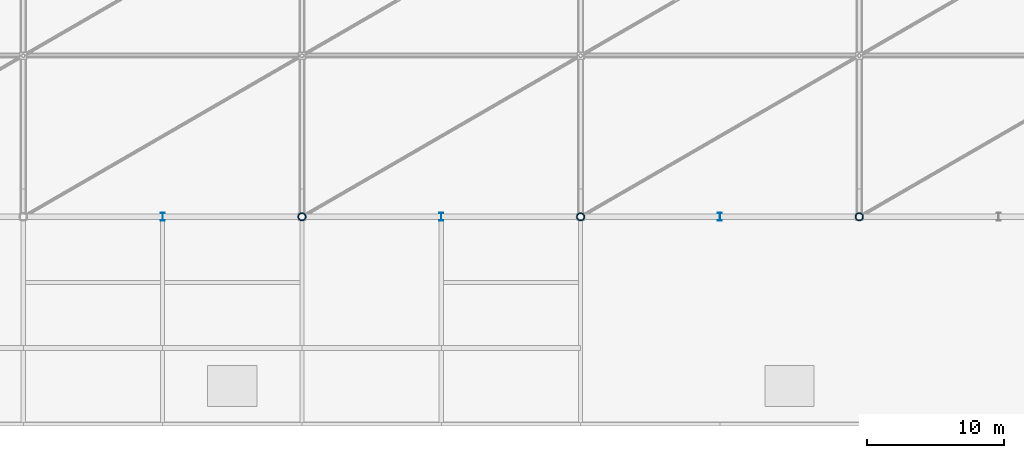
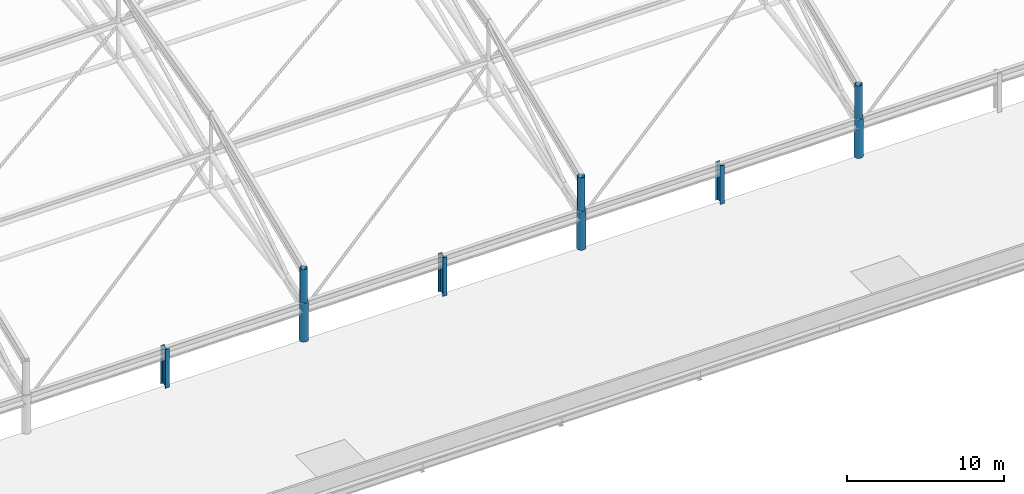
# One storey, part 4 of 135: 9 columns.
"""IFC4 building model written with IfcOpenShell, lengths in metres."""

from ifc_helpers import new_model, si_unit, direction, frame, origin, origin_2d, place, context, subcontext, project, spatial, hollow_circle, i_section, extrude, material, material_profile, profile_set, type_object, element, save


model = new_model("IFC4")

# Units and contexts
model_context = context("Model", 3, precision=1e-05, world=origin(), true_north=direction((0.0, 1.0)))
body_context = subcontext(model_context, "Body", "Model", "MODEL_VIEW")
ifc_project = project(units=[si_unit("LENGTHUNIT", "METRE"), si_unit("AREAUNIT", "SQUARE_METRE"), si_unit("VOLUMEUNIT", "CUBIC_METRE"), si_unit("PLANEANGLEUNIT", "RADIAN"), si_unit("MASSUNIT", "GRAM", prefix="KILO")], contexts=[model_context])

# Site, building, storey
site_placement = place(None, origin())
site = spatial("IfcSite", under=ifc_project, at=site_placement, CompositionType="ELEMENT")
building_placement = place(site_placement, origin())
building = spatial("IfcBuilding", under=site, at=building_placement, Name="Brelvane Convention Centre", CompositionType="ELEMENT")
storey_placement = place(building_placement, frame((0.0, 0.0, 15.0)))
storey = spatial("IfcBuildingStorey", under=building, at=storey_placement, Name="L03", CompositionType="ELEMENT", Elevation=15.0)

# Columns
ifc_material_1 = material(Name="Steel E450 (450 MPa)", Category="steel")
ifc_material_profile_1 = material_profile(ifc_material_1, hollow_circle(Radius=0.304931640625, WallThickness=0.02490234375, at=origin_2d()), Name="CHS 610.0x25.0")
ifc_profile_set_1 = profile_set([ifc_material_profile_1], Name="Steel E450 (450 MPa)")
column_type_1 = type_object("IfcColumnType", Name="Steel Column C-ST1 (CHS 610.0x25.0)", PredefinedType="COLUMN", material=ifc_profile_set_1)
for number, where, z_axis, x_axis, name in (
    (1, (81.60009765625, 28.800048828125, 0.0), (0.0, 0.0, 1.0), (1.0, 0.0, 0.0), "Column 9-D (L03)"),
    (2, (102.0, 28.800048828125, 0.0), (0.0, 0.0, 1.0), (1.0, 0.0, 0.0), "Column 11-D (L03)"),
    (3, (122.39990234375, 28.800048828125, 0.0), (0.0, 0.0, 1.0), (1.0, 0.0, 0.0), "Column 13-D (L03)"),
):
    element("IfcColumn", number, at=place(storey_placement, frame(where, z_axis=z_axis, x_axis=x_axis)), inside=storey, type_object=column_type_1, Name=name, PredefinedType="COLUMN", context=body_context, shape_type="SweptSolid", body=[
        extrude(hollow_circle(Radius=0.304931640625, WallThickness=0.02490234375, at=origin_2d()), origin(), (0.0, 0.0, 1.0), 3.0),
    ])
ifc_material_2 = material(Name="Steel E450 (450 MPa)", Category="steel")
ifc_material_profile_2 = material_profile(ifc_material_2, hollow_circle(Radius=0.25390625, WallThickness=0.02001953125, at=origin_2d()), Name="CHS 508.0x20.0")
ifc_profile_set_2 = profile_set([ifc_material_profile_2], Name="Steel E450 (450 MPa)")
column_type_2 = type_object("IfcColumnType", Name="Steel Column C-ST2 (CHS 508.0x20.0)", PredefinedType="COLUMN", material=ifc_profile_set_2)
for number, where, z_axis, x_axis, name in (
    (4, (81.60009765625, 28.800048828125, 3.0), (0.0, 0.0, 1.0), (1.0, 0.0, 0.0), "EXO_EXH Exoskeletal Eaves Mast 5-S"),
    (5, (102.0, 28.800048828125, 3.0), (0.0, 0.0, 1.0), (1.0, 0.0, 0.0), "EXO_EXH Exoskeletal Eaves Mast 6-S"),
    (6, (122.39990234375, 28.800048828125, 3.0), (0.0, 0.0, 1.0), (1.0, 0.0, 0.0), "EXO_EXH Exoskeletal Eaves Mast 7-S"),
):
    element("IfcColumn", number, at=place(storey_placement, frame(where, z_axis=z_axis, x_axis=x_axis)), inside=storey, type_object=column_type_2, Name=name, PredefinedType="COLUMN", context=body_context, shape_type="SweptSolid", body=[
        extrude(hollow_circle(Radius=0.25390625, WallThickness=0.02001953125, at=origin_2d()), origin(), (0.0, 0.0, 1.0), 2.60009765625),
    ])
ifc_material_3 = material(Name="Steel E450 (450 MPa)", Category="steel")
ifc_material_profile_3 = material_profile(ifc_material_3, i_section(OverallWidth=0.300048828125, OverallDepth=0.60009765625, WebThickness=0.015380859375, FlangeThickness=0.030029296875, FilletRadius=0.027099609375, at=origin_2d()), Name="WPB 600x300")
ifc_profile_set_3 = profile_set([ifc_material_profile_3], Name="Steel E450 (450 MPa)")
column_type_3 = type_object("IfcColumnType", Name="Steel Column C-ST5 (WPB 600x300)", PredefinedType="COLUMN", material=ifc_profile_set_3)
for number, where, z_axis, x_axis, name in (
    (7, (71.39990234375, 28.800048828125, 0.0), (0.0, 0.0, 1.0), (1.0, 0.0, 0.0), "Column 8-D (L03)"),
    (8, (91.800048828125, 28.800048828125, 0.0), (0.0, 0.0, 1.0), (1.0, 0.0, 0.0), "Column 10-D (L03)"),
    (9, (112.199951171875, 28.800048828125, 0.0), (0.0, 0.0, 1.0), (1.0, 0.0, 0.0), "Column 12-D (L03)"),
):
    element("IfcColumn", number, at=place(storey_placement, frame(where, z_axis=z_axis, x_axis=x_axis)), inside=storey, type_object=column_type_3, Name=name, PredefinedType="COLUMN", context=body_context, shape_type="SweptSolid", body=[
        extrude(i_section(OverallWidth=0.300048828125, OverallDepth=0.60009765625, WebThickness=0.015380859375, FlangeThickness=0.030029296875, FilletRadius=0.027099609375, at=origin_2d()), origin(), (0.0, 0.0, 1.0), 3.0),
    ])

save(model, "model.ifc")
